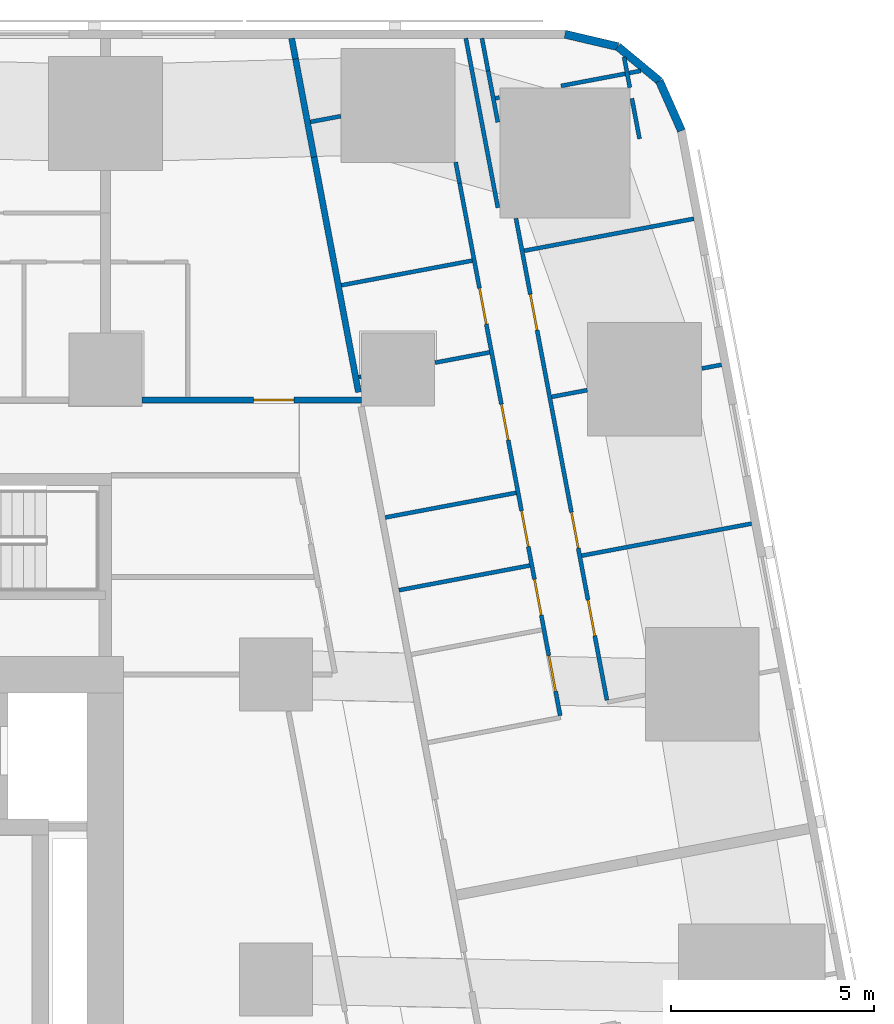
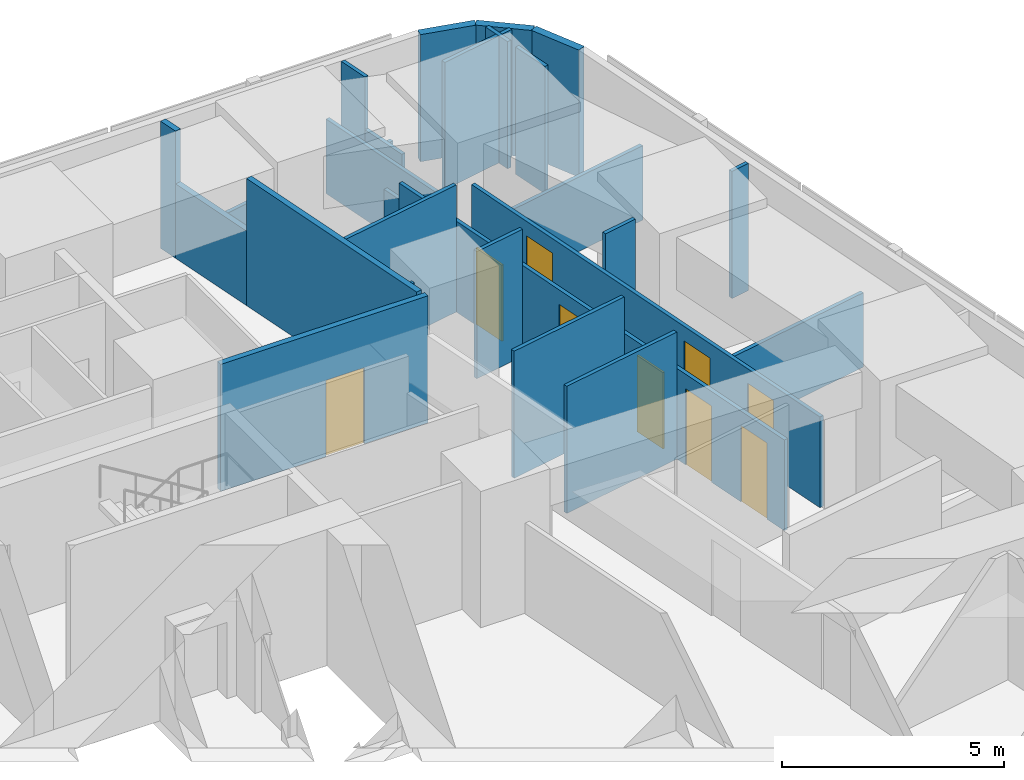
# One storey, part 11 of 16: 27 walls, 9 doors, 9 openings.
"""IFC4 building model written with IfcOpenShell, lengths in metres."""

from ifc_helpers import new_model, si_unit, direction, frame, frame_2d, origin, place, context, subcontext, project, spatial, rectangle, extrude, material, layer, layer_set, type_object, element, fill, save


model = new_model("IFC4")

# Units and contexts
model_context = context("Model", 3, precision=1e-05, world=origin(), true_north=direction((0.0, 1.0)))
body_context = subcontext(model_context, "Body", "Model", "MODEL_VIEW")
ifc_project = project(units=[si_unit("LENGTHUNIT", "METRE"), si_unit("AREAUNIT", "SQUARE_METRE"), si_unit("VOLUMEUNIT", "CUBIC_METRE"), si_unit("PLANEANGLEUNIT", "RADIAN"), si_unit("MASSUNIT", "GRAM", prefix="KILO")], contexts=[model_context])

# Site, building, storey
site_placement = place(None, origin())
site = spatial("IfcSite", under=ifc_project, at=site_placement, CompositionType="ELEMENT")
building_placement = place(site_placement, origin())
building = spatial("IfcBuilding", under=site, at=building_placement, Name="Sheger Commons Tower", CompositionType="ELEMENT")
storey_placement = place(building_placement, frame((0.0, 0.0, 53.75)))
storey = spatial("IfcBuildingStorey", under=building, at=storey_placement, Name="L13", CompositionType="ELEMENT", Elevation=53.75)

# Wall, opening, door
ifc_material_1 = material(Name="Hollow concrete block masonry, skimmed both sides", Category="masonry")
ifc_layer_1 = layer(ifc_material_1, 0.14990234375)
ifc_layer_set_1 = layer_set([ifc_layer_1], Name="CORRIDOR WALL 150")
wall_type_1 = type_object("IfcWallType", Name="CORRIDOR WALL 150", PredefinedType="SOLIDWALL", material=ifc_layer_set_1)
wall_1_placement = place(storey_placement, frame((29.700927734375, 36.75, 0.0), z_axis=(0.0, 0.0, 1.0), x_axis=(1.0, 0.0, 0.0)))
wall_1 = element("IfcWall", 1, at=wall_1_placement, inside=storey, type_object=wall_type_1, Name="Corridor wall L13", PredefinedType="SOLIDWALL", context=body_context, shape_type="SweptSolid", body=[
    extrude(rectangle(XDim=5.399169921875, YDim=0.14990234375, at=frame_2d((2.69970703125, 0.0))), origin(), (0.0, 0.0, 1.0), 3.5),
])
opening_1_placement = place(wall_1_placement, frame((2.7451171875, 0.0, 0.0)))
opening_1 = element("IfcOpeningElement", 2, at=opening_1_placement, cuts=wall_1, Name="Opening D1", PredefinedType="OPENING", context=body_context, shape_type="SweptSolid", body=[
    extrude(rectangle(XDim=1.0, YDim=2.10009765625, at=frame_2d((0.5, 1.050048828125))), frame((0.0, 0.0849609375, 0.0), z_axis=(0.0, -1.0, 0.0), x_axis=(1.0, 0.0, 0.0)), (0.0, 0.0, 1.0), 0.169921875),
])
ifc_material_2 = material(Name="Steel door set, fire rated", Category="steel")
door_type_1 = type_object("IfcDoorType", Name="FLAT ENTRANCE DOOR 1000x2100", OperationType="NOTDEFINED", PredefinedType="DOOR", material=ifc_material_2)
door_1_placement = place(opening_1_placement, origin())
door_1 = element("IfcDoor", 3, at=door_1_placement, inside=storey, type_object=door_type_1, Name="Flat entrance door", OperationType="SINGLE_SWING_RIGHT", OverallHeight=2.10009765625, OverallWidth=1.0, PredefinedType="DOOR", context=body_context, shape_type="SweptSolid", body=[
    extrude(rectangle(XDim=1.0, YDim=2.10009765625, at=frame_2d((0.5, 1.050048828125))), frame((0.0, 0.02490234375, 0.0), z_axis=(0.0, -1.0, 0.0), x_axis=(1.0, 0.0, 0.0)), (0.0, 0.0, 1.0), 0.050048828125),
])
fill(opening_1, door_1)

# Walls
wall_2_placement = place(storey_placement, frame((33.382080078125, 45.64990234375, 0.0), z_axis=(0.0, 0.0, 1.0), x_axis=(0.185657456326, -0.982614527122, 0.0)))
element("IfcWall", 4, at=wall_2_placement, inside=storey, type_object=wall_type_1, Name="Corridor wall L13", PredefinedType="SOLIDWALL", context=body_context, shape_type="SweptSolid", body=[
    extrude(rectangle(XDim=0.516845703125, YDim=0.14990234375, at=frame_2d((0.25830078125, 0.0))), origin(), (0.0, 0.0, 1.0), 3.5),
])
wall_3_placement = place(storey_placement, frame((33.47802734375, 45.14208984375, 0.0), z_axis=(0.0, 0.0, 1.0), x_axis=(0.185393362436, -0.982664388876, 0.0)))
element("IfcWall", 5, at=wall_3_placement, inside=storey, type_object=wall_type_1, Name="Corridor wall L13", PredefinedType="SOLIDWALL", context=body_context, shape_type="SweptSolid", body=[
    extrude(rectangle(XDim=2.45458984375, YDim=0.14990234375, at=frame_2d((1.227294921875, 0.0))), origin(), (0.0, 0.0, 1.0), 2.050048828125),
])
wall_4_placement = place(storey_placement, frame((33.93310546875, 42.72998046875, 0.0), z_axis=(0.0, 0.0, 1.0), x_axis=(0.185617897238, -0.982622000682, 0.0)))
element("IfcWall", 6, at=wall_4_placement, inside=storey, type_object=wall_type_1, Name="Corridor wall L13", PredefinedType="SOLIDWALL", context=body_context, shape_type="SweptSolid", body=[
    extrude(rectangle(XDim=5.88720703125, YDim=0.14990234375, at=frame_2d((2.943603515625, 0.0))), origin(), (0.0, 0.0, 1.0), 3.5),
])
ifc_material_3 = material(Name="Rendered concrete block masonry, dark grey", Category="masonry")
ifc_layer_2 = layer(ifc_material_3, 0.199951171875)
ifc_layer_set_2 = layer_set([ifc_layer_2], Name="FACADE WALL 200")
wall_type_2 = type_object("IfcWallType", Name="FACADE WALL 200", PredefinedType="SOLIDWALL", material=ifc_layer_set_2)
wall_5_placement = place(storey_placement, frame((42.969970703125, 43.376953125, 0.0), z_axis=(0.0, 0.0, 1.0), x_axis=(-0.406002956633, 0.913871762998, 0.0)))
element("IfcWall", 7, at=wall_5_placement, inside=storey, type_object=wall_type_2, Name="Facade wall L13", PredefinedType="SOLIDWALL", context=body_context, shape_type="SweptSolid", body=[
    extrude(rectangle(XDim=1.33740234375, YDim=0.199951171875, at=frame_2d((0.668701171875, 0.0))), origin(), (0.0, 0.0, 1.0), 3.5),
])
wall_6_placement = place(storey_placement, frame((42.427001953125, 44.59912109375, 0.0), z_axis=(0.0, 0.0, 1.0), x_axis=(-0.770091412544, 0.637933551655, 0.0)))
element("IfcWall", 8, at=wall_6_placement, inside=storey, type_object=wall_type_2, Name="Facade wall L13", PredefinedType="SOLIDWALL", context=body_context, shape_type="SweptSolid", body=[
    extrude(rectangle(XDim=1.324462890625, YDim=0.199951171875, at=frame_2d((0.662109375, 0.0))), origin(), (0.0, 0.0, 1.0), 3.5),
])
wall_7_placement = place(storey_placement, frame((41.406982421875, 45.444091796875, 0.0), z_axis=(0.0, 0.0, 1.0), x_axis=(-0.973453091607, 0.228886606077, 0.0)))
element("IfcWall", 9, at=wall_7_placement, inside=storey, type_object=wall_type_2, Name="Facade wall L13", PredefinedType="SOLIDWALL", context=body_context, shape_type="SweptSolid", body=[
    extrude(rectangle(XDim=1.33642578125, YDim=0.199951171875, at=frame_2d((0.668212890625, 0.0))), origin(), (0.0, 0.0, 1.0), 3.5),
])
ifc_material_4 = material(Name="Gypsum board on steel studs", Category="steel")
ifc_layer_3 = layer(ifc_material_4, 0.10009765625)
ifc_layer_set_3 = layer_set([ifc_layer_3], Name="PARTITION 100")
wall_type_3 = type_object("IfcWallType", Name="PARTITION 100", PredefinedType="PARTITIONING", material=ifc_layer_set_3)
wall_8_placement = place(storey_placement, frame((38.4541015625, 41.48291015625, 0.0), z_axis=(0.0, 0.0, 1.0), x_axis=(-0.185609245326, 0.982623634994, 0.0)))
element("IfcWall", 10, at=wall_8_placement, inside=storey, type_object=wall_type_3, Name="Partition L13", PredefinedType="PARTITIONING", context=body_context, shape_type="SweptSolid", body=[
    extrude(rectangle(XDim=4.24072265625, YDim=0.10009765625, at=frame_2d((2.120361328125, 0.0))), origin(), (0.0, 0.0, 1.0), 2.050048828125),
])
wall_9_placement = place(storey_placement, frame((41.55908203125, 45.18798828125, 0.0), z_axis=(0.0, 0.0, 1.0), x_axis=(0.185063078849, -0.98272664401, 0.0)))
element("IfcWall", 11, at=wall_9_placement, inside=storey, type_object=wall_type_3, Name="Partition L13", PredefinedType="PARTITIONING", context=body_context, shape_type="SweptSolid", body=[
    extrude(rectangle(XDim=0.76123046875, YDim=0.10009765625, at=frame_2d((0.380615234375, 0.0))), origin(), (0.0, 0.0, 1.0), 3.5),
])
wall_10_placement = place(storey_placement, frame((41.7509765625, 44.169921875, 0.0), z_axis=(0.0, 0.0, 1.0), x_axis=(0.186024046654, -0.98254519187, 0.0)))
element("IfcWall", 12, at=wall_10_placement, inside=storey, type_object=wall_type_3, Name="Partition L13", PredefinedType="PARTITIONING", context=body_context, shape_type="SweptSolid", body=[
    extrude(rectangle(XDim=1.010498046875, YDim=0.10009765625, at=frame_2d((0.50537109375, 0.0))), origin(), (0.0, 0.0, 1.0), 3.5),
])
wall_11_placement = place(storey_placement, frame((38.06298828125, 45.64990234375, 0.0), z_axis=(0.0, 0.0, 1.0), x_axis=(0.186109918919, -0.982528929895, 0.0)))
element("IfcWall", 13, at=wall_11_placement, inside=storey, type_object=wall_type_3, Name="Partition L13", PredefinedType="PARTITIONING", context=body_context, shape_type="SweptSolid", body=[
    extrude(rectangle(XDim=0.817138671875, YDim=0.10009765625, at=frame_2d((0.40869140625, 0.0))), origin(), (0.0, 0.0, 1.0), 3.5),
])
wall_12_placement = place(storey_placement, frame((38.215087890625, 44.846923828125, 0.0), z_axis=(0.0, 0.0, 1.0), x_axis=(0.185449486507, -0.982653798626, 0.0)))
element("IfcWall", 14, at=wall_12_placement, inside=storey, type_object=wall_type_3, Name="Partition L13", PredefinedType="PARTITIONING", context=body_context, shape_type="SweptSolid", body=[
    extrude(rectangle(XDim=1.2822265625, YDim=0.10009765625, at=frame_2d((0.64111328125, 0.0))), origin(), (0.0, 0.0, 1.0), 2.050048828125),
])

# Wall, openings, doors
wall_13_placement = place(storey_placement, frame((38.89990234375, 41.219970703125, 0.0), z_axis=(0.0, 0.0, 1.0), x_axis=(0.185521843026, -0.98264014052, 0.0)))
wall_13 = element("IfcWall", 15, at=wall_13_placement, inside=storey, type_object=wall_type_3, Name="Partition L13", PredefinedType="PARTITIONING", context=body_context, shape_type="SweptSolid", body=[
    extrude(rectangle(XDim=12.05810546875, YDim=0.10009765625, at=frame_2d((6.029052734375, 0.0))), origin(), (0.0, 0.0, 1.0), 2.5),
])
opening_2_placement = place(wall_13_placement, frame((9.550048828125, 0.0, 0.0)))
opening_2 = element("IfcOpeningElement", 16, at=opening_2_placement, cuts=wall_13, Name="Opening D2", PredefinedType="OPENING", context=body_context, shape_type="SweptSolid", body=[
    extrude(rectangle(XDim=0.89990234375, YDim=2.10009765625, at=frame_2d((0.449951171875, 1.050048828125))), frame((0.0, 0.06005859375, 0.0), z_axis=(0.0, -1.0, 0.0), x_axis=(1.0, 0.0, 0.0)), (0.0, 0.0, 1.0), 0.1201171875),
])
opening_3_placement = place(wall_13_placement, frame((7.35205078125, 0.0, 0.0)))
opening_3 = element("IfcOpeningElement", 17, at=opening_3_placement, cuts=wall_13, Name="Opening D2", PredefinedType="OPENING", context=body_context, shape_type="SweptSolid", body=[
    extrude(rectangle(XDim=0.89990234375, YDim=2.10009765625, at=frame_2d((0.449951171875, 1.050048828125))), frame((0.0, 0.06005859375, 0.0), z_axis=(0.0, -1.0, 0.0), x_axis=(1.0, 0.0, 0.0)), (0.0, 0.0, 1.0), 0.1201171875),
])
opening_4_placement = place(wall_13_placement, frame((1.89990234375, 0.0, 0.0)))
opening_4 = element("IfcOpeningElement", 18, at=opening_4_placement, cuts=wall_13, Name="Opening D2", PredefinedType="OPENING", context=body_context, shape_type="SweptSolid", body=[
    extrude(rectangle(XDim=0.89990234375, YDim=2.10009765625, at=frame_2d((0.449951171875, 1.050048828125))), frame((0.0, 0.06005859375, 0.0), z_axis=(0.0, -1.0, 0.0), x_axis=(1.0, 0.0, 0.0)), (0.0, 0.0, 1.0), 0.1201171875),
])
ifc_material_5 = material(Name="Timber door set", Category="wood")
door_type_2 = type_object("IfcDoorType", Name="INTERNAL DOOR 900x2100", OperationType="NOTDEFINED", PredefinedType="DOOR", material=ifc_material_5)
door_2_placement = place(opening_2_placement, origin())
door_2 = element("IfcDoor", 19, at=door_2_placement, inside=storey, type_object=door_type_2, Name="Main bedroom door", OperationType="SINGLE_SWING_LEFT", OverallHeight=2.10009765625, OverallWidth=0.89990234375, PredefinedType="DOOR", context=body_context, shape_type="SweptSolid", body=[
    extrude(rectangle(XDim=0.89990234375, YDim=2.10009765625, at=frame_2d((0.449951171875, 1.050048828125))), frame((0.0, 0.02490234375, 0.0), z_axis=(0.0, -1.0, 0.0), x_axis=(1.0, 0.0, 0.0)), (0.0, 0.0, 1.0), 0.050048828125),
])
fill(opening_2, door_2)
door_3_placement = place(opening_3_placement, origin())
door_3 = element("IfcDoor", 20, at=door_3_placement, inside=storey, type_object=door_type_2, Name="Bedroom 2 door", OperationType="SINGLE_SWING_RIGHT", OverallHeight=2.10009765625, OverallWidth=0.89990234375, PredefinedType="DOOR", context=body_context, shape_type="SweptSolid", body=[
    extrude(rectangle(XDim=0.89990234375, YDim=2.10009765625, at=frame_2d((0.449951171875, 1.050048828125))), frame((0.0, 0.02490234375, 0.0), z_axis=(0.0, -1.0, 0.0), x_axis=(1.0, 0.0, 0.0)), (0.0, 0.0, 1.0), 0.050048828125),
])
fill(opening_3, door_3)
door_4_placement = place(opening_4_placement, origin())
door_4 = element("IfcDoor", 21, at=door_4_placement, inside=storey, type_object=door_type_2, Name="Bedroom 3 door", OperationType="SINGLE_SWING_LEFT", OverallHeight=2.10009765625, OverallWidth=0.89990234375, PredefinedType="DOOR", context=body_context, shape_type="SweptSolid", body=[
    extrude(rectangle(XDim=0.89990234375, YDim=2.10009765625, at=frame_2d((0.449951171875, 1.050048828125))), frame((0.0, 0.02490234375, 0.0), z_axis=(0.0, -1.0, 0.0), x_axis=(1.0, 0.0, 0.0)), (0.0, 0.0, 1.0), 0.050048828125),
])
fill(opening_4, door_4)

# Wall
wall_14_placement = place(storey_placement, frame((37.4169921875, 42.60205078125, 0.0), z_axis=(0.0, 0.0, 1.0), x_axis=(0.185672001976, -0.982611778721, 0.0)))
element("IfcWall", 22, at=wall_14_placement, inside=storey, type_object=wall_type_3, Name="Partition L13", PredefinedType="PARTITIONING", context=body_context, shape_type="SweptSolid", body=[
    extrude(rectangle(XDim=0.52197265625, YDim=0.10009765625, at=frame_2d((0.260986328125, 0.0))), origin(), (0.0, 0.0, 1.0), 2.050048828125),
])

# Wall, openings, doors
wall_15_placement = place(storey_placement, frame((37.513916015625, 42.089111328125, 0.0), z_axis=(0.0, 0.0, 1.0), x_axis=(0.1856087397, -0.982623730503, 0.0)))
wall_15 = element("IfcWall", 23, at=wall_15_placement, inside=storey, type_object=wall_type_3, Name="Partition L13", PredefinedType="PARTITIONING", context=body_context, shape_type="SweptSolid", body=[
    extrude(rectangle(XDim=13.329833984375, YDim=0.10009765625, at=frame_2d((6.6650390625, 0.0))), origin(), (0.0, 0.0, 1.0), 2.5),
])
opening_5_placement = place(wall_15_placement, frame((11.824951171875, 0.0, 0.0)))
opening_5 = element("IfcOpeningElement", 24, at=opening_5_placement, cuts=wall_15, Name="Opening D2", PredefinedType="OPENING", context=body_context, shape_type="SweptSolid", body=[
    extrude(rectangle(XDim=0.89990234375, YDim=2.10009765625, at=frame_2d((0.449951171875, 1.050048828125))), frame((0.0, 0.06005859375, 0.0), z_axis=(0.0, -1.0, 0.0), x_axis=(1.0, 0.0, 0.0)), (0.0, 0.0, 1.0), 0.1201171875),
])
opening_6_placement = place(wall_15_placement, frame((8.202880859375, 0.0, 0.0)))
opening_6 = element("IfcOpeningElement", 25, at=opening_6_placement, cuts=wall_15, Name="Opening D2", PredefinedType="OPENING", context=body_context, shape_type="SweptSolid", body=[
    extrude(rectangle(XDim=0.89990234375, YDim=2.10009765625, at=frame_2d((0.449951171875, 1.050048828125))), frame((0.0, 0.06005859375, 0.0), z_axis=(0.0, -1.0, 0.0), x_axis=(1.0, 0.0, 0.0)), (0.0, 0.0, 1.0), 0.1201171875),
])
opening_7_placement = place(wall_15_placement, frame((2.6298828125, 0.0, 0.0)))
opening_7 = element("IfcOpeningElement", 26, at=opening_7_placement, cuts=wall_15, Name="Opening D2", PredefinedType="OPENING", context=body_context, shape_type="SweptSolid", body=[
    extrude(rectangle(XDim=0.89990234375, YDim=2.10009765625, at=frame_2d((0.449951171875, 1.050048828125))), frame((0.0, 0.06005859375, 0.0), z_axis=(0.0, -1.0, 0.0), x_axis=(1.0, 0.0, 0.0)), (0.0, 0.0, 1.0), 0.1201171875),
])
opening_8_placement = place(wall_15_placement, frame((9.916015625, 0.0, 0.0)))
opening_8 = element("IfcOpeningElement", 27, at=opening_8_placement, cuts=wall_15, Name="Opening D2", PredefinedType="OPENING", context=body_context, shape_type="SweptSolid", body=[
    extrude(rectangle(XDim=0.89990234375, YDim=2.10009765625, at=frame_2d((0.449951171875, 1.050048828125))), frame((0.0, 0.06005859375, 0.0), z_axis=(0.0, -1.0, 0.0), x_axis=(1.0, 0.0, 0.0)), (0.0, 0.0, 1.0), 0.1201171875),
])
opening_9_placement = place(wall_15_placement, frame((5.534912109375, 0.0, 0.0)))
opening_9 = element("IfcOpeningElement", 28, at=opening_9_placement, cuts=wall_15, Name="Opening D2", PredefinedType="OPENING", context=body_context, shape_type="SweptSolid", body=[
    extrude(rectangle(XDim=0.89990234375, YDim=2.10009765625, at=frame_2d((0.449951171875, 1.050048828125))), frame((0.0, 0.06005859375, 0.0), z_axis=(0.0, -1.0, 0.0), x_axis=(1.0, 0.0, 0.0)), (0.0, 0.0, 1.0), 0.1201171875),
])
door_5_placement = place(opening_5_placement, origin())
door_5 = element("IfcDoor", 29, at=door_5_placement, inside=storey, type_object=door_type_2, Name="Bathroom door", OperationType="SINGLE_SWING_LEFT", OverallHeight=2.10009765625, OverallWidth=0.89990234375, PredefinedType="DOOR", context=body_context, shape_type="SweptSolid", body=[
    extrude(rectangle(XDim=0.89990234375, YDim=2.10009765625, at=frame_2d((0.449951171875, 1.050048828125))), frame((0.0, 0.02490234375, 0.0), z_axis=(0.0, -1.0, 0.0), x_axis=(1.0, 0.0, 0.0)), (0.0, 0.0, 1.0), 0.050048828125),
])
fill(opening_5, door_5)
door_6_placement = place(opening_6_placement, origin())
door_6 = element("IfcDoor", 30, at=door_6_placement, inside=storey, type_object=door_type_2, Name="Laundry room door", OperationType="SINGLE_SWING_LEFT", OverallHeight=2.10009765625, OverallWidth=0.89990234375, PredefinedType="DOOR", context=body_context, shape_type="SweptSolid", body=[
    extrude(rectangle(XDim=0.89990234375, YDim=2.10009765625, at=frame_2d((0.449951171875, 1.050048828125))), frame((0.0, 0.02490234375, 0.0), z_axis=(0.0, -1.0, 0.0), x_axis=(1.0, 0.0, 0.0)), (0.0, 0.0, 1.0), 0.050048828125),
])
fill(opening_6, door_6)
door_7_placement = place(opening_7_placement, origin())
door_7 = element("IfcDoor", 31, at=door_7_placement, inside=storey, type_object=door_type_2, Name="Laundry room door", OperationType="SINGLE_SWING_LEFT", OverallHeight=2.10009765625, OverallWidth=0.89990234375, PredefinedType="DOOR", context=body_context, shape_type="SweptSolid", body=[
    extrude(rectangle(XDim=0.89990234375, YDim=2.10009765625, at=frame_2d((0.449951171875, 1.050048828125))), frame((0.0, 0.02490234375, 0.0), z_axis=(0.0, -1.0, 0.0), x_axis=(1.0, 0.0, 0.0)), (0.0, 0.0, 1.0), 0.050048828125),
])
fill(opening_7, door_7)
door_8_placement = place(opening_8_placement, origin())
door_8 = element("IfcDoor", 32, at=door_8_placement, inside=storey, type_object=door_type_2, Name="Store door", OperationType="SINGLE_SWING_RIGHT", OverallHeight=2.10009765625, OverallWidth=0.89990234375, PredefinedType="DOOR", context=body_context, shape_type="SweptSolid", body=[
    extrude(rectangle(XDim=0.89990234375, YDim=2.10009765625, at=frame_2d((0.449951171875, 1.050048828125))), frame((0.0, 0.02490234375, 0.0), z_axis=(0.0, -1.0, 0.0), x_axis=(1.0, 0.0, 0.0)), (0.0, 0.0, 1.0), 0.050048828125),
])
fill(opening_8, door_8)
door_9_placement = place(opening_9_placement, origin())
door_9 = element("IfcDoor", 33, at=door_9_placement, inside=storey, type_object=door_type_2, Name="Store door", OperationType="SINGLE_SWING_RIGHT", OverallHeight=2.10009765625, OverallWidth=0.89990234375, PredefinedType="DOOR", context=body_context, shape_type="SweptSolid", body=[
    extrude(rectangle(XDim=0.89990234375, YDim=2.10009765625, at=frame_2d((0.449951171875, 1.050048828125))), frame((0.0, 0.02490234375, 0.0), z_axis=(0.0, -1.0, 0.0), x_axis=(1.0, 0.0, 0.0)), (0.0, 0.0, 1.0), 0.050048828125),
])
fill(opening_9, door_9)

# Walls
wall_16_placement = place(storey_placement, frame((41.968017578125, 44.85009765625, 0.0), z_axis=(0.0, 0.0, 1.0), x_axis=(-0.982543651732, -0.186032181195, 0.0)))
element("IfcWall", 34, at=wall_16_placement, inside=storey, type_object=wall_type_3, Name="Partition L13", PredefinedType="PARTITIONING", context=body_context, shape_type="SweptSolid", body=[
    extrude(rectangle(XDim=1.994873046875, YDim=0.10009765625, at=frame_2d((0.99755859375, 0.0))), origin(), (0.0, 0.0, 1.0), 3.5),
])
wall_17_placement = place(storey_placement, frame((38.491943359375, 44.193115234375, 0.0), z_axis=(0.0, 0.0, 1.0), x_axis=(-0.981954528773, -0.189117168504, 0.0)))
element("IfcWall", 35, at=wall_17_placement, inside=storey, type_object=wall_type_3, Name="Partition L13", PredefinedType="PARTITIONING", context=body_context, shape_type="SweptSolid", body=[
    extrude(rectangle(XDim=0.1005859375, YDim=0.10009765625, at=frame_2d((0.05029296875, 0.0))), origin(), (0.0, 0.0, 1.0), 2.050048828125),
])
wall_18_placement = place(storey_placement, frame((43.277099609375, 41.2119140625, 0.0), z_axis=(0.0, 0.0, 1.0), x_axis=(-0.982665405803, -0.185387972203, 0.0)))
element("IfcWall", 36, at=wall_18_placement, inside=storey, type_object=wall_type_3, Name="Partition L13", PredefinedType="PARTITIONING", context=body_context, shape_type="SweptSolid", body=[
    extrude(rectangle(XDim=4.249755859375, YDim=0.10009765625, at=frame_2d((2.125, 0.0))), origin(), (0.0, 0.0, 1.0), 2.050048828125),
])
wall_19_placement = place(storey_placement, frame((43.955078125, 37.6201171875, 0.0), z_axis=(0.0, 0.0, 1.0), x_axis=(-0.982543152073, -0.186034820164, 0.0)))
element("IfcWall", 37, at=wall_19_placement, inside=storey, type_object=wall_type_3, Name="Partition L13", PredefinedType="PARTITIONING", context=body_context, shape_type="SweptSolid", body=[
    extrude(rectangle(XDim=0.489501953125, YDim=0.10009765625, at=frame_2d((0.24462890625, 0.0))), origin(), (0.0, 0.0, 1.0), 3.5),
])
wall_20_placement = place(storey_placement, frame((40.654052734375, 36.99609375, 0.0), z_axis=(0.0, 0.0, 1.0), x_axis=(-0.982672962335, -0.185347913655, 0.0)))
element("IfcWall", 38, at=wall_20_placement, inside=storey, type_object=wall_type_3, Name="Partition L13", PredefinedType="PARTITIONING", context=body_context, shape_type="SweptSolid", body=[
    extrude(rectangle(XDim=0.890380859375, YDim=0.10009765625, at=frame_2d((0.4453125, 0.0))), origin(), (0.0, 0.0, 1.0), 3.5),
])
wall_21_placement = place(storey_placement, frame((44.693115234375, 33.712890625, 0.0), z_axis=(0.0, 0.0, 1.0), x_axis=(-0.982623519589, -0.185609856287, 0.0)))
element("IfcWall", 39, at=wall_21_placement, inside=storey, type_object=wall_type_3, Name="Partition L13", PredefinedType="PARTITIONING", context=body_context, shape_type="SweptSolid", body=[
    extrude(rectangle(XDim=4.249755859375, YDim=0.10009765625, at=frame_2d((2.125, 0.0))), origin(), (0.0, 0.0, 1.0), 2.050048828125),
])
wall_22_placement = place(storey_placement, frame((34.590087890625, 43.73388671875, 0.0), z_axis=(0.0, 0.0, 1.0), x_axis=(-0.98274036184, -0.184990219229, 0.0)))
element("IfcWall", 40, at=wall_22_placement, inside=storey, type_object=wall_type_3, Name="Partition L13", PredefinedType="PARTITIONING", context=body_context, shape_type="SweptSolid", body=[
    extrude(rectangle(XDim=0.756103515625, YDim=0.10009765625, at=frame_2d((0.3779296875, 0.0))), origin(), (0.0, 0.0, 1.0), 2.050048828125),
])
wall_23_placement = place(storey_placement, frame((37.822998046875, 40.181884765625, 0.0), z_axis=(0.0, 0.0, 1.0), x_axis=(-0.982664729897, -0.18539155487, 0.0)))
element("IfcWall", 41, at=wall_23_placement, inside=storey, type_object=wall_type_3, Name="Partition L13", PredefinedType="PARTITIONING", context=body_context, shape_type="SweptSolid", body=[
    extrude(rectangle(XDim=3.273681640625, YDim=0.10009765625, at=frame_2d((1.63671875, 0.0))), origin(), (0.0, 0.0, 1.0), 3.5),
])
wall_24_placement = place(storey_placement, frame((38.25, 37.925048828125, 0.0), z_axis=(0.0, 0.0, 1.0), x_axis=(-0.982650574676, -0.185466568658, 0.0)))
element("IfcWall", 42, at=wall_24_placement, inside=storey, type_object=wall_type_3, Name="Partition L13", PredefinedType="PARTITIONING", context=body_context, shape_type="SweptSolid", body=[
    extrude(rectangle(XDim=1.36376953125, YDim=0.10009765625, at=frame_2d((0.681884765625, 0.0))), origin(), (0.0, 0.0, 1.0), 3.5),
])
wall_25_placement = place(storey_placement, frame((35.090087890625, 37.327880859375, 0.0), z_axis=(0.0, 0.0, 1.0), x_axis=(-0.982590620415, -0.185783940835, 0.0)))
element("IfcWall", 43, at=wall_25_placement, inside=storey, type_object=wall_type_3, Name="Partition L13", PredefinedType="PARTITIONING", context=body_context, shape_type="SweptSolid", body=[
    extrude(rectangle(XDim=0.05908203125, YDim=0.10009765625, at=frame_2d((0.029541015625, 0.0))), origin(), (0.0, 0.0, 1.0), 3.5),
])
wall_26_placement = place(storey_placement, frame((39.239990234375, 32.68310546875, 0.0), z_axis=(0.0, 0.0, 1.0), x_axis=(-0.982607026909, -0.185697147715, 0.0)))
element("IfcWall", 44, at=wall_26_placement, inside=storey, type_object=wall_type_3, Name="Partition L13", PredefinedType="PARTITIONING", context=body_context, shape_type="SweptSolid", body=[
    extrude(rectangle(XDim=3.27490234375, YDim=0.10009765625, at=frame_2d((1.637451171875, 0.0))), origin(), (0.0, 0.0, 1.0), 3.5),
])
wall_27_placement = place(storey_placement, frame((38.902099609375, 34.470947265625, 0.0), z_axis=(0.0, 0.0, 1.0), x_axis=(-0.982674977865, -0.185337227447, 0.0)))
element("IfcWall", 45, at=wall_27_placement, inside=storey, type_object=wall_type_3, Name="Partition L13", PredefinedType="PARTITIONING", context=body_context, shape_type="SweptSolid", body=[
    extrude(rectangle(XDim=3.274658203125, YDim=0.10009765625, at=frame_2d((1.63720703125, 0.0))), origin(), (0.0, 0.0, 1.0), 3.5),
])

save(model, "model.ifc")
